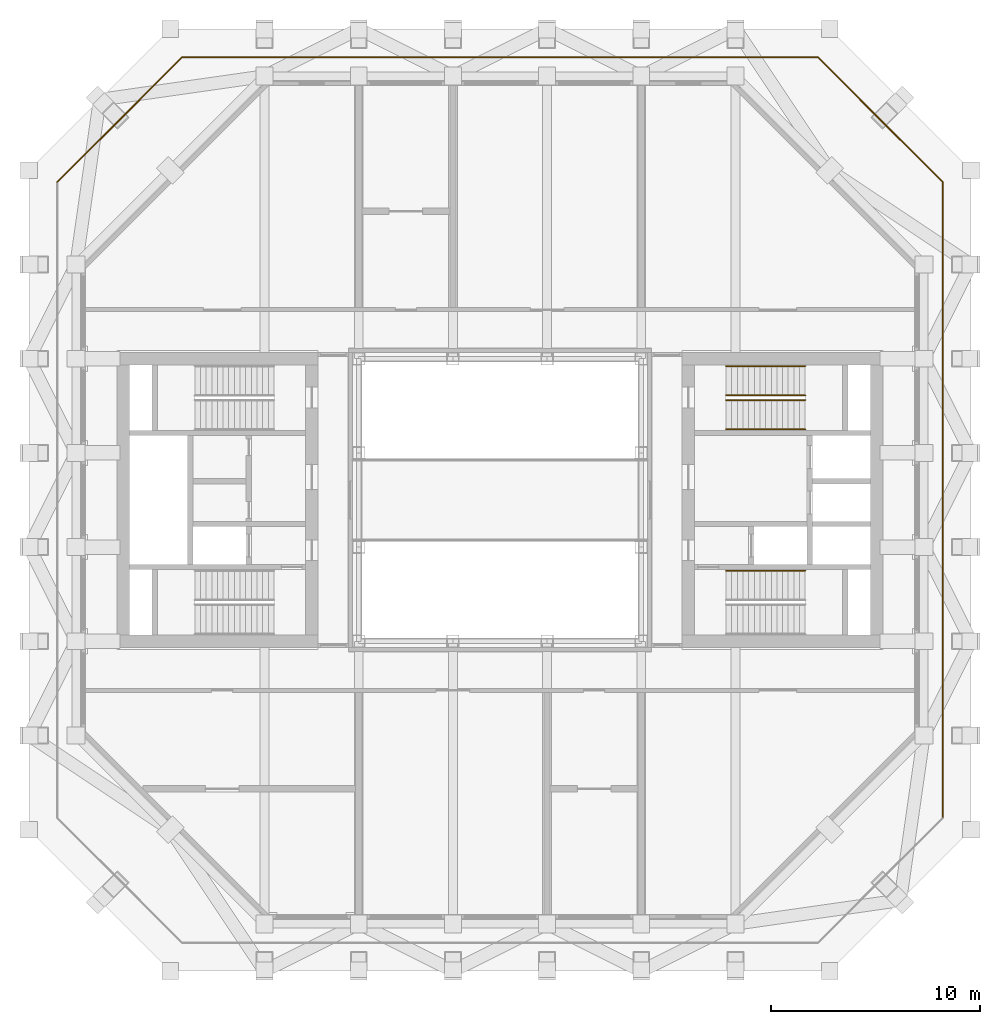
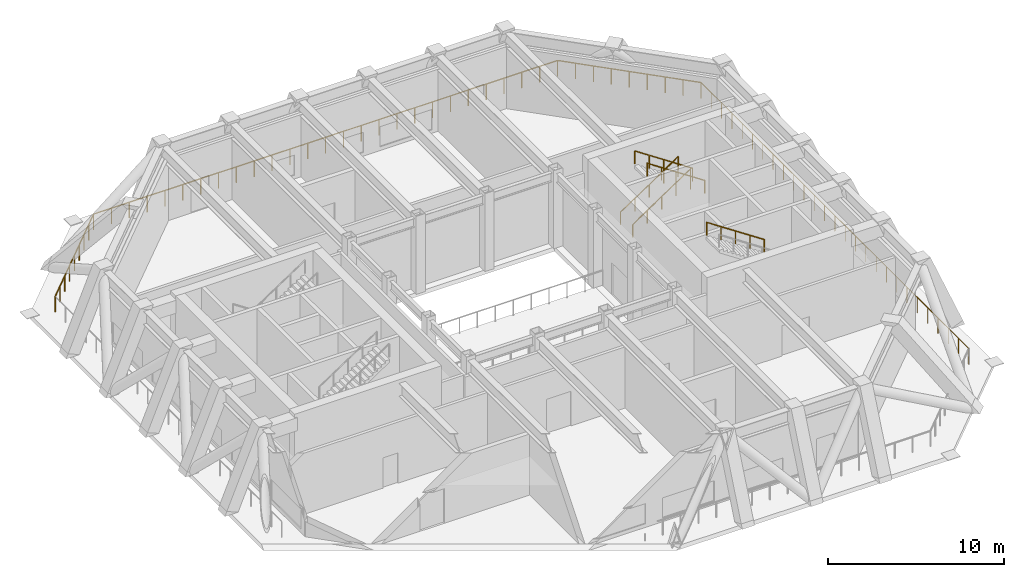
# One storey, part 8 of 8: 9 railings.
"""IFC4 building model written with IfcOpenShell, lengths in metres."""

import ifcopenshell
import ifcopenshell.guid

model = None  # the IFC model being written
_history = None  # IfcOwnerHistory: only IFC2X3 demands one
_inside = {}  # id of a spatial element -> (the spatial element, [elements in it])
_under = {}  # id of a project, library or spatial element -> (it, [spatial elements below it])
_declared = {}  # id of a project -> (the project, [libraries it declares])
_typed = {}  # id of a type object -> (the type object, [elements of that type])
_made_of = {}  # id of a material, layer set ... -> (it, [elements and type objects made of it])


def new_model(schema):
    """Start an empty IFC model of exactly this schema.

    Asked for "IFC4X3", IfcOpenShell would pick the latest addendum, in which some entities
    have other attributes; the version numbers below select the first issue.
    IFC2X3 requires an IfcOwnerHistory on every rooted entity: one is made here for all.
    """
    global model, _history
    if schema == "IFC4X3":
        model = ifcopenshell.file(schema_version=(4, 3, 0, 0))
    else:
        model = ifcopenshell.file(schema=schema)
    _inside.clear()
    _under.clear()
    _declared.clear()
    _typed.clear()
    _made_of.clear()
    _history = None
    if model.schema == "IFC2X3":
        org = make("IfcOrganization", Name="unknown")
        user = make(
            "IfcPersonAndOrganization",
            ThePerson=make("IfcPerson", FamilyName="unknown"),
            TheOrganization=org,
        )
        app = make(
            "IfcApplication",
            ApplicationDeveloper=org,
            Version="unknown",
            ApplicationFullName="unknown",
            ApplicationIdentifier="unknown",
        )
        _history = make(
            "IfcOwnerHistory",
            OwningUser=user,
            OwningApplication=app,
            ChangeAction="ADDED",
            CreationDate=0,
        )
    return model


def make(cls, **values):
    """One entity of the class cls with the attributes given. An attribute that is None is left unset."""
    return model.create_entity(
        cls, **{name: value for name, value in values.items() if value is not None}
    )


def rooted(cls, **values):
    """An entity with a GlobalId (a new one), such as an element, a storey or a relation."""
    return make(cls, GlobalId=ifcopenshell.guid.new(), OwnerHistory=_history, **values)


def si_unit(unit_type, name, prefix=None):
    """IfcSIUnit, for example si_unit("LENGTHUNIT", "METRE", prefix="MILLI")."""
    return make("IfcSIUnit", UnitType=unit_type, Prefix=prefix, Name=name)


def assignment(units):
    """IfcUnitAssignment: the units of a project."""
    return None if units is None else make("IfcUnitAssignment", Units=units)


def point(xyz):
    """IfcCartesianPoint."""
    return None if xyz is None else make("IfcCartesianPoint", Coordinates=xyz)


def direction(xyz):
    """IfcDirection."""
    return None if xyz is None else make("IfcDirection", DirectionRatios=xyz)


def frame(location, z_axis=None, x_axis=None):
    """IfcAxis2Placement3D, a coordinate frame: its origin and axes. An axis left out is left unset."""
    return make(
        "IfcAxis2Placement3D",
        Location=point(location),
        Axis=direction(z_axis),
        RefDirection=direction(x_axis),
    )


def frame_2d(location, x_axis=None):
    """IfcAxis2Placement2D, a coordinate frame in the plane: its origin and x axis."""
    return make(
        "IfcAxis2Placement2D", Location=point(location), RefDirection=direction(x_axis)
    )


def origin():
    """The frame at (0, 0, 0) with its axes left unset."""
    return frame((0.0, 0.0, 0.0))


def origin_2d():
    """The frame at (0, 0) in the plane with its x axis left unset."""
    return frame_2d((0.0, 0.0))


def place(relative_to, where):
    """IfcLocalPlacement: puts the frame where relative to a parent placement (None: the world)."""
    return make(
        "IfcLocalPlacement", PlacementRelTo=relative_to, RelativePlacement=where
    )


def context(
    kind, dimensions, precision=None, world=None, true_north=None, identifier=None
):
    """IfcGeometricRepresentationContext, for example the 3D "Model" context."""
    return make(
        "IfcGeometricRepresentationContext",
        ContextIdentifier=identifier,
        ContextType=kind,
        CoordinateSpaceDimension=dimensions,
        Precision=precision,
        WorldCoordinateSystem=world,
        TrueNorth=true_north,
    )


def subcontext(parent, identifier, kind, view, scale=None):
    """IfcGeometricRepresentationSubContext, for example "Body" below "Model"."""
    return make(
        "IfcGeometricRepresentationSubContext",
        ContextIdentifier=identifier,
        ContextType=kind,
        ParentContext=parent,
        TargetScale=scale,
        TargetView=view,
    )


def project(units=None, contexts=None):
    """IfcProject with its units and contexts."""
    return rooted(
        "IfcProject",
        Name="project",
        RepresentationContexts=contexts,
        UnitsInContext=assignment(units),
    )


def spatial(cls, under=None, at=None, **own):
    """A site, building, storey or space (cls), placed at a placement, below another one or the project."""
    s = rooted(cls, ObjectPlacement=at, **own)
    if under is not None:
        _under.setdefault(under.id(), (under, []))[1].append(s)
    return s


def profile(cls, at=None, kind="AREA", **sizes):
    """A parametric profile (cls). Its sizes go by their IFC names, for example OverallWidth=200.0."""
    return make(cls, ProfileType=kind, Position=at, **sizes)


def circle(**sizes):
    """IfcCircleProfileDef."""
    return profile("IfcCircleProfileDef", **sizes)


def extrude(swept, where, along, depth):
    """IfcExtrudedAreaSolid: the profile swept, set in the frame where, extruded along a direction by depth."""
    return make(
        "IfcExtrudedAreaSolid",
        SweptArea=swept,
        Position=where,
        ExtrudedDirection=direction(along),
        Depth=depth,
    )


def shape(context_of_items, identifier, shape_type, items):
    """IfcShapeRepresentation: the items that make up one representation, for example the "Body"."""
    return make(
        "IfcShapeRepresentation",
        ContextOfItems=context_of_items,
        RepresentationIdentifier=identifier,
        RepresentationType=shape_type,
        Items=items,
    )


def material(Name=None, Category=None):
    """IfcMaterial."""
    return make("IfcMaterial", Name=Name, Category=Category)


def made_of(thing, what):
    """Note that an element or type object is made of a material, layer set ...; save() writes the relation."""
    if what is not None:
        _made_of.setdefault(what.id(), (what, []))[1].append(thing)
    return thing


def type_object(cls, material=None, **own):
    """A type object (cls), such as IfcWallType, which elements share."""
    return made_of(rooted(cls, **own), material)


def element(
    cls,
    number,
    at=None,
    inside=None,
    cuts=None,
    type_object=None,
    material=None,
    context=None,
    identifier="Body",
    shape_type=None,
    held_by="IfcProductDefinitionShape",
    body=None,
    shapes=None,
    **own,
):
    """One element of the class cls, such as IfcWall. Its Tag is "e" and its number.

    at: its placement. inside: the storey or other place that contains it. cuts: it is an
    opening in that element (IfcRelVoidsElement). A single representation is given by context,
    identifier, shape_type and body (its items); several are given by shapes. held_by: the class
    of the entity that holds the representations. save() writes the other relations.
    """
    e = rooted(cls, Tag="e%d" % number, ObjectPlacement=at, **own)
    if body is not None:
        shapes = [shape(context, identifier, shape_type, body)]
    if shapes is not None:
        e.Representation = make(held_by, Representations=shapes)
    if inside is not None:
        _inside.setdefault(inside.id(), (inside, []))[1].append(e)
    if cuts is not None:
        rooted(
            "IfcRelVoidsElement", RelatingBuildingElement=cuts, RelatedOpeningElement=e
        )
    if type_object is not None:
        _typed.setdefault(type_object.id(), (type_object, []))[1].append(e)
    return made_of(e, material)


def aggregate(whole, parts):
    """IfcRelAggregates: a whole, such as a stair, and the parts it consists of."""
    return rooted("IfcRelAggregates", RelatingObject=whole, RelatedObjects=parts)


def save(model, path):
    """Write the relations noted so far, then the file.

    IfcRelAggregates (storeys below a building ...), IfcRelContainedInSpatialStructure (elements
    in a storey), IfcRelDefinesByType, IfcRelAssociatesMaterial and IfcRelDeclares: one each for
    every whole, place, type object, material and project.
    """
    for whole, parts in _under.values():
        aggregate(whole, parts)
    for where, things in _inside.values():
        rooted(
            "IfcRelContainedInSpatialStructure",
            RelatedElements=things,
            RelatingStructure=where,
        )
    for kind, things in _typed.values():
        rooted("IfcRelDefinesByType", RelatedObjects=things, RelatingType=kind)
    for what, things in _made_of.values():
        rooted("IfcRelAssociatesMaterial", RelatedObjects=things, RelatingMaterial=what)
    for by, libraries in _declared.values():
        rooted("IfcRelDeclares", RelatingContext=by, RelatedDefinitions=libraries)
    model.write(path)


model = new_model("IFC4")

# Units and contexts
model_context = context("Model", 3, precision=1e-05, world=origin(), true_north=direction((0.0, 1.0)))
body_context = subcontext(model_context, "Body", "Model", "MODEL_VIEW")
ifc_project = project(units=[si_unit("LENGTHUNIT", "METRE"), si_unit("AREAUNIT", "SQUARE_METRE"), si_unit("VOLUMEUNIT", "CUBIC_METRE"), si_unit("PLANEANGLEUNIT", "RADIAN"), si_unit("MASSUNIT", "GRAM", prefix="KILO")], contexts=[model_context])

# Site, building, storey
site_placement = place(None, origin())
site = spatial("IfcSite", under=ifc_project, at=site_placement, CompositionType="ELEMENT")
building_placement = place(site_placement, origin())
building = spatial("IfcBuilding", under=site, at=building_placement, Name="Msasa Ring Tower", CompositionType="ELEMENT")
storey_placement = place(building_placement, frame((0.0, 0.0, 190.39990234375)))
storey = spatial("IfcBuildingStorey", under=building, at=storey_placement, Name="L50", CompositionType="ELEMENT", Elevation=190.39990234375)

# Railings
ifc_material_1 = material(Name="Stainless steel and laminated glass", Category="steel")
railing_type_1 = type_object("IfcRailingType", Name="GR2 TERRACE GUARD 1100", PredefinedType="GUARDRAIL", material=ifc_material_1)
railing_1_placement = place(storey_placement, frame((21.14990234375, -15.19091796875, 0.0)))
element("IfcRailing", 1, at=railing_1_placement, inside=storey, type_object=railing_type_1, Name="Refuge terrace guard E L50", PredefinedType="GUARDRAIL", context=body_context, shape_type="SweptSolid", body=[
    extrude(circle(Radius=0.02392578125, at=origin_2d()), frame((0.0, 0.0, 1.076171875), z_axis=(0.0, 1.0, 0.0), x_axis=(-1.0, 0.0, 0.0)), (0.0, 0.0, 1.0), 30.3818359375),
    extrude(circle(Radius=0.02099609375, at=origin_2d()), origin(), (0.0, 0.0, 1.0), 1.052001953125),
    extrude(circle(Radius=0.02099609375, at=origin_2d()), frame((0.0, 1.16845703125, 0.0)), (0.0, 0.0, 1.0), 1.052001953125),
    extrude(circle(Radius=0.02099609375, at=origin_2d()), frame((0.0, 2.337158203125, 0.0)), (0.0, 0.0, 1.0), 1.052001953125),
    extrude(circle(Radius=0.02099609375, at=origin_2d()), frame((0.0, 3.505615234375, 0.0)), (0.0, 0.0, 1.0), 1.052001953125),
    extrude(circle(Radius=0.02099609375, at=origin_2d()), frame((0.0, 4.674072265625, 0.0)), (0.0, 0.0, 1.0), 1.052001953125),
    extrude(circle(Radius=0.02099609375, at=origin_2d()), frame((0.0, 5.8427734375, 0.0)), (0.0, 0.0, 1.0), 1.052001953125),
    extrude(circle(Radius=0.02099609375, at=origin_2d()), frame((0.0, 7.01123046875, 0.0)), (0.0, 0.0, 1.0), 1.052001953125),
    extrude(circle(Radius=0.02099609375, at=origin_2d()), frame((0.0, 8.1796875, 0.0)), (0.0, 0.0, 1.0), 1.052001953125),
    extrude(circle(Radius=0.02099609375, at=origin_2d()), frame((0.0, 9.34814453125, 0.0)), (0.0, 0.0, 1.0), 1.052001953125),
    extrude(circle(Radius=0.02099609375, at=origin_2d()), frame((0.0, 10.516845703125, 0.0)), (0.0, 0.0, 1.0), 1.052001953125),
    extrude(circle(Radius=0.02099609375, at=origin_2d()), frame((0.0, 11.685302734375, 0.0)), (0.0, 0.0, 1.0), 1.052001953125),
    extrude(circle(Radius=0.02099609375, at=origin_2d()), frame((0.0, 12.853759765625, 0.0)), (0.0, 0.0, 1.0), 1.052001953125),
    extrude(circle(Radius=0.02099609375, at=origin_2d()), frame((0.0, 14.0224609375, 0.0)), (0.0, 0.0, 1.0), 1.052001953125),
    extrude(circle(Radius=0.02099609375, at=origin_2d()), frame((0.0, 15.19091796875, 0.0)), (0.0, 0.0, 1.0), 1.052001953125),
    extrude(circle(Radius=0.02099609375, at=origin_2d()), frame((0.0, 16.359375, 0.0)), (0.0, 0.0, 1.0), 1.052001953125),
    extrude(circle(Radius=0.02099609375, at=origin_2d()), frame((0.0, 17.528076171875, 0.0)), (0.0, 0.0, 1.0), 1.052001953125),
    extrude(circle(Radius=0.02099609375, at=origin_2d()), frame((0.0, 18.696533203125, 0.0)), (0.0, 0.0, 1.0), 1.052001953125),
    extrude(circle(Radius=0.02099609375, at=origin_2d()), frame((0.0, 19.864990234375, 0.0)), (0.0, 0.0, 1.0), 1.052001953125),
    extrude(circle(Radius=0.02099609375, at=origin_2d()), frame((0.0, 21.03369140625, 0.0)), (0.0, 0.0, 1.0), 1.052001953125),
    extrude(circle(Radius=0.02099609375, at=origin_2d()), frame((0.0, 22.2021484375, 0.0)), (0.0, 0.0, 1.0), 1.052001953125),
    extrude(circle(Radius=0.02099609375, at=origin_2d()), frame((0.0, 23.37060546875, 0.0)), (0.0, 0.0, 1.0), 1.052001953125),
    extrude(circle(Radius=0.02099609375, at=origin_2d()), frame((0.0, 24.5390625, 0.0)), (0.0, 0.0, 1.0), 1.052001953125),
    extrude(circle(Radius=0.02099609375, at=origin_2d()), frame((0.0, 25.707763671875, 0.0)), (0.0, 0.0, 1.0), 1.052001953125),
    extrude(circle(Radius=0.02099609375, at=origin_2d()), frame((0.0, 26.876220703125, 0.0)), (0.0, 0.0, 1.0), 1.052001953125),
    extrude(circle(Radius=0.02099609375, at=origin_2d()), frame((0.0, 28.044677734375, 0.0)), (0.0, 0.0, 1.0), 1.052001953125),
    extrude(circle(Radius=0.02099609375, at=origin_2d()), frame((0.0, 29.21337890625, 0.0)), (0.0, 0.0, 1.0), 1.052001953125),
    extrude(circle(Radius=0.02099609375, at=origin_2d()), frame((0.0, 30.3818359375, 0.0)), (0.0, 0.0, 1.0), 1.052001953125),
])
railing_2_placement = place(storey_placement, frame((21.14990234375, 15.19091796875, 0.0)))
element("IfcRailing", 2, at=railing_2_placement, inside=storey, type_object=railing_type_1, Name="Refuge terrace guard NE L50", PredefinedType="GUARDRAIL", context=body_context, shape_type="SweptSolid", body=[
    extrude(circle(Radius=0.02392578125, at=origin_2d()), frame((0.0, 0.0, 1.076171875), z_axis=(-0.707106781187, 0.707106781187, 0.0), x_axis=(-0.707106781187, -0.707106781187, 0.0)), (0.0, 0.0, 1.0), 8.42724609375),
    extrude(circle(Radius=0.02099609375, at=origin_2d()), origin(), (0.0, 0.0, 1.0), 1.052001953125),
    extrude(circle(Radius=0.02099609375, at=origin_2d()), frame((-0.744873046875, 0.744873046875, 0.0)), (0.0, 0.0, 1.0), 1.052001953125),
    extrude(circle(Radius=0.02099609375, at=origin_2d()), frame((-1.48974609375, 1.48974609375, 0.0)), (0.0, 0.0, 1.0), 1.052001953125),
    extrude(circle(Radius=0.02099609375, at=origin_2d()), frame((-2.234619140625, 2.234619140625, 0.0)), (0.0, 0.0, 1.0), 1.052001953125),
    extrude(circle(Radius=0.02099609375, at=origin_2d()), frame((-2.9794921875, 2.9794921875, 0.0)), (0.0, 0.0, 1.0), 1.052001953125),
    extrude(circle(Radius=0.02099609375, at=origin_2d()), frame((-3.724365234375, 3.724365234375, 0.0)), (0.0, 0.0, 1.0), 1.052001953125),
    extrude(circle(Radius=0.02099609375, at=origin_2d()), frame((-4.46923828125, 4.46923828125, 0.0)), (0.0, 0.0, 1.0), 1.052001953125),
    extrude(circle(Radius=0.02099609375, at=origin_2d()), frame((-5.214111328125, 5.214111328125, 0.0)), (0.0, 0.0, 1.0), 1.052001953125),
    extrude(circle(Radius=0.02099609375, at=origin_2d()), frame((-5.958984375, 5.958984375, 0.0)), (0.0, 0.0, 1.0), 1.052001953125),
])
railing_3_placement = place(storey_placement, frame((15.19091796875, 21.14990234375, 0.0)))
element("IfcRailing", 3, at=railing_3_placement, inside=storey, type_object=railing_type_1, Name="Refuge terrace guard N L50", PredefinedType="GUARDRAIL", context=body_context, shape_type="SweptSolid", body=[
    extrude(circle(Radius=0.02392578125, at=origin_2d()), frame((0.0, 0.0, 1.076171875), z_axis=(-1.0, 0.0, 0.0), x_axis=(0.0, -1.0, 0.0)), (0.0, 0.0, 1.0), 30.3818359375),
    extrude(circle(Radius=0.02099609375, at=origin_2d()), origin(), (0.0, 0.0, 1.0), 1.052001953125),
    extrude(circle(Radius=0.02099609375, at=origin_2d()), frame((-1.16845703125, 0.0, 0.0)), (0.0, 0.0, 1.0), 1.052001953125),
    extrude(circle(Radius=0.02099609375, at=origin_2d()), frame((-2.337158203125, 0.0, 0.0)), (0.0, 0.0, 1.0), 1.052001953125),
    extrude(circle(Radius=0.02099609375, at=origin_2d()), frame((-3.505615234375, 0.0, 0.0)), (0.0, 0.0, 1.0), 1.052001953125),
    extrude(circle(Radius=0.02099609375, at=origin_2d()), frame((-4.674072265625, 0.0, 0.0)), (0.0, 0.0, 1.0), 1.052001953125),
    extrude(circle(Radius=0.02099609375, at=origin_2d()), frame((-5.8427734375, 0.0, 0.0)), (0.0, 0.0, 1.0), 1.052001953125),
    extrude(circle(Radius=0.02099609375, at=origin_2d()), frame((-7.01123046875, 0.0, 0.0)), (0.0, 0.0, 1.0), 1.052001953125),
    extrude(circle(Radius=0.02099609375, at=origin_2d()), frame((-8.1796875, 0.0, 0.0)), (0.0, 0.0, 1.0), 1.052001953125),
    extrude(circle(Radius=0.02099609375, at=origin_2d()), frame((-9.34814453125, 0.0, 0.0)), (0.0, 0.0, 1.0), 1.052001953125),
    extrude(circle(Radius=0.02099609375, at=origin_2d()), frame((-10.516845703125, 0.0, 0.0)), (0.0, 0.0, 1.0), 1.052001953125),
    extrude(circle(Radius=0.02099609375, at=origin_2d()), frame((-11.685302734375, 0.0, 0.0)), (0.0, 0.0, 1.0), 1.052001953125),
    extrude(circle(Radius=0.02099609375, at=origin_2d()), frame((-12.853759765625, 0.0, 0.0)), (0.0, 0.0, 1.0), 1.052001953125),
    extrude(circle(Radius=0.02099609375, at=origin_2d()), frame((-14.0224609375, 0.0, 0.0)), (0.0, 0.0, 1.0), 1.052001953125),
    extrude(circle(Radius=0.02099609375, at=origin_2d()), frame((-15.19091796875, 0.0, 0.0)), (0.0, 0.0, 1.0), 1.052001953125),
    extrude(circle(Radius=0.02099609375, at=origin_2d()), frame((-16.359375, 0.0, 0.0)), (0.0, 0.0, 1.0), 1.052001953125),
    extrude(circle(Radius=0.02099609375, at=origin_2d()), frame((-17.528076171875, 0.0, 0.0)), (0.0, 0.0, 1.0), 1.052001953125),
    extrude(circle(Radius=0.02099609375, at=origin_2d()), frame((-18.696533203125, 0.0, 0.0)), (0.0, 0.0, 1.0), 1.052001953125),
    extrude(circle(Radius=0.02099609375, at=origin_2d()), frame((-19.864990234375, 0.0, 0.0)), (0.0, 0.0, 1.0), 1.052001953125),
    extrude(circle(Radius=0.02099609375, at=origin_2d()), frame((-21.03369140625, 0.0, 0.0)), (0.0, 0.0, 1.0), 1.052001953125),
    extrude(circle(Radius=0.02099609375, at=origin_2d()), frame((-22.2021484375, 0.0, 0.0)), (0.0, 0.0, 1.0), 1.052001953125),
    extrude(circle(Radius=0.02099609375, at=origin_2d()), frame((-23.37060546875, 0.0, 0.0)), (0.0, 0.0, 1.0), 1.052001953125),
    extrude(circle(Radius=0.02099609375, at=origin_2d()), frame((-24.5390625, 0.0, 0.0)), (0.0, 0.0, 1.0), 1.052001953125),
    extrude(circle(Radius=0.02099609375, at=origin_2d()), frame((-25.707763671875, 0.0, 0.0)), (0.0, 0.0, 1.0), 1.052001953125),
    extrude(circle(Radius=0.02099609375, at=origin_2d()), frame((-26.876220703125, 0.0, 0.0)), (0.0, 0.0, 1.0), 1.052001953125),
    extrude(circle(Radius=0.02099609375, at=origin_2d()), frame((-28.044677734375, 0.0, 0.0)), (0.0, 0.0, 1.0), 1.052001953125),
    extrude(circle(Radius=0.02099609375, at=origin_2d()), frame((-29.21337890625, 0.0, 0.0)), (0.0, 0.0, 1.0), 1.052001953125),
    extrude(circle(Radius=0.02099609375, at=origin_2d()), frame((-30.3818359375, 0.0, 0.0)), (0.0, 0.0, 1.0), 1.052001953125),
])
railing_4_placement = place(storey_placement, frame((-15.19091796875, 21.14990234375, 0.0)))
element("IfcRailing", 4, at=railing_4_placement, inside=storey, type_object=railing_type_1, Name="Refuge terrace guard NW L50", PredefinedType="GUARDRAIL", context=body_context, shape_type="SweptSolid", body=[
    extrude(circle(Radius=0.02392578125, at=origin_2d()), frame((0.0, 0.0, 1.076171875), z_axis=(-0.707106781187, -0.707106781187, 0.0), x_axis=(0.707106781187, -0.707106781187, 0.0)), (0.0, 0.0, 1.0), 8.42724609375),
    extrude(circle(Radius=0.02099609375, at=origin_2d()), origin(), (0.0, 0.0, 1.0), 1.052001953125),
    extrude(circle(Radius=0.02099609375, at=origin_2d()), frame((-0.744873046875, -0.744873046875, 0.0)), (0.0, 0.0, 1.0), 1.052001953125),
    extrude(circle(Radius=0.02099609375, at=origin_2d()), frame((-1.48974609375, -1.48974609375, 0.0)), (0.0, 0.0, 1.0), 1.052001953125),
    extrude(circle(Radius=0.02099609375, at=origin_2d()), frame((-2.234619140625, -2.234619140625, 0.0)), (0.0, 0.0, 1.0), 1.052001953125),
    extrude(circle(Radius=0.02099609375, at=origin_2d()), frame((-2.9794921875, -2.9794921875, 0.0)), (0.0, 0.0, 1.0), 1.052001953125),
    extrude(circle(Radius=0.02099609375, at=origin_2d()), frame((-3.724365234375, -3.724365234375, 0.0)), (0.0, 0.0, 1.0), 1.052001953125),
    extrude(circle(Radius=0.02099609375, at=origin_2d()), frame((-4.46923828125, -4.46923828125, 0.0)), (0.0, 0.0, 1.0), 1.052001953125),
    extrude(circle(Radius=0.02099609375, at=origin_2d()), frame((-5.214111328125, -5.214111328125, 0.0)), (0.0, 0.0, 1.0), 1.052001953125),
    extrude(circle(Radius=0.02099609375, at=origin_2d()), frame((-5.958984375, -5.958984375, 0.0)), (0.0, 0.0, 1.0), 1.052001953125),
])
ifc_material_2 = material(Name="Stainless steel", Category="steel")
railing_type_2 = type_object("IfcRailingType", Name="HR1 HANDRAIL 900", PredefinedType="HANDRAIL", material=ifc_material_2)
railing_5_placement = place(storey_placement, frame((14.580078125, -3.375, 2.880126953125)))
element("IfcRailing", 5, at=railing_5_placement, inside=storey, type_object=railing_type_2, Name="Handrail stair SEA L50 4", PredefinedType="HANDRAIL", context=body_context, shape_type="SweptSolid", body=[
    extrude(circle(Radius=0.02392578125, at=origin_2d()), frame((0.0, 0.0, 0.8759765625), z_axis=(-0.832050294338, 0.0, 0.554700196225), x_axis=(0.0, -1.0, 0.0)), (0.0, 0.0, 1.0), 4.54296875),
    extrude(circle(Radius=0.02099609375, at=origin_2d()), origin(), (0.0, 0.0, 1.0), 0.851806640625),
    extrude(circle(Radius=0.02099609375, at=origin_2d()), frame((-0.945068359375, 0.0, 0.6298828125)), (0.0, 0.0, 1.0), 0.851806640625),
    extrude(circle(Radius=0.02099609375, at=origin_2d()), frame((-1.89013671875, 0.0, 1.260009765625)), (0.0, 0.0, 1.0), 0.851806640625),
    extrude(circle(Radius=0.02099609375, at=origin_2d()), frame((-2.8349609375, 0.0, 1.89013671875)), (0.0, 0.0, 1.0), 0.851806640625),
    extrude(circle(Radius=0.02099609375, at=origin_2d()), frame((-3.780029296875, 0.0, 2.52001953125)), (0.0, 0.0, 1.0), 0.851806640625),
])
for number, where, name in (
    (6, (10.800048828125, 5.0, 0.18017578125), "Handrail stair SEB L50 1"),
    (7, (10.800048828125, 6.39990234375, 0.18017578125), "Handrail stair SEB L50 2"),
):
    element("IfcRailing", number, at=place(storey_placement, frame(where)), inside=storey, type_object=railing_type_2, Name=name, PredefinedType="HANDRAIL", context=body_context, shape_type="SweptSolid", body=[
        extrude(circle(Radius=0.02392578125, at=origin_2d()), frame((0.0, 0.0, 0.8759765625), z_axis=(0.832050294338, 0.0, 0.554700196225), x_axis=(0.0, 1.0, 0.0)), (0.0, 0.0, 1.0), 4.54296875),
        extrude(circle(Radius=0.02099609375, at=origin_2d()), origin(), (0.0, 0.0, 1.0), 0.851806640625),
        extrude(circle(Radius=0.02099609375, at=origin_2d()), frame((0.945068359375, 0.0, 0.6298828125)), (0.0, 0.0, 1.0), 0.851806640625),
        extrude(circle(Radius=0.02099609375, at=origin_2d()), frame((1.89013671875, 0.0, 1.260009765625)), (0.0, 0.0, 1.0), 0.851806640625),
        extrude(circle(Radius=0.02099609375, at=origin_2d()), frame((2.8349609375, 0.0, 1.89013671875)), (0.0, 0.0, 1.0), 0.851806640625),
        extrude(circle(Radius=0.02099609375, at=origin_2d()), frame((3.780029296875, 0.0, 2.52001953125)), (0.0, 0.0, 1.0), 0.851806640625),
    ])
for number, where, name in (
    (8, (14.580078125, 3.375, 2.880126953125), "Handrail stair SEB L50 3"),
    (9, (14.580078125, 4.77490234375, 2.880126953125), "Handrail stair SEB L50 4"),
):
    element("IfcRailing", number, at=place(storey_placement, frame(where)), inside=storey, type_object=railing_type_2, Name=name, PredefinedType="HANDRAIL", context=body_context, shape_type="SweptSolid", body=[
        extrude(circle(Radius=0.02392578125, at=origin_2d()), frame((0.0, 0.0, 0.8759765625), z_axis=(-0.832050294338, 0.0, 0.554700196225), x_axis=(0.0, -1.0, 0.0)), (0.0, 0.0, 1.0), 4.54296875),
        extrude(circle(Radius=0.02099609375, at=origin_2d()), origin(), (0.0, 0.0, 1.0), 0.851806640625),
        extrude(circle(Radius=0.02099609375, at=origin_2d()), frame((-0.945068359375, 0.0, 0.6298828125)), (0.0, 0.0, 1.0), 0.851806640625),
        extrude(circle(Radius=0.02099609375, at=origin_2d()), frame((-1.89013671875, 0.0, 1.260009765625)), (0.0, 0.0, 1.0), 0.851806640625),
        extrude(circle(Radius=0.02099609375, at=origin_2d()), frame((-2.8349609375, 0.0, 1.89013671875)), (0.0, 0.0, 1.0), 0.851806640625),
        extrude(circle(Radius=0.02099609375, at=origin_2d()), frame((-3.780029296875, 0.0, 2.52001953125)), (0.0, 0.0, 1.0), 0.851806640625),
    ])

save(model, "model.ifc")
